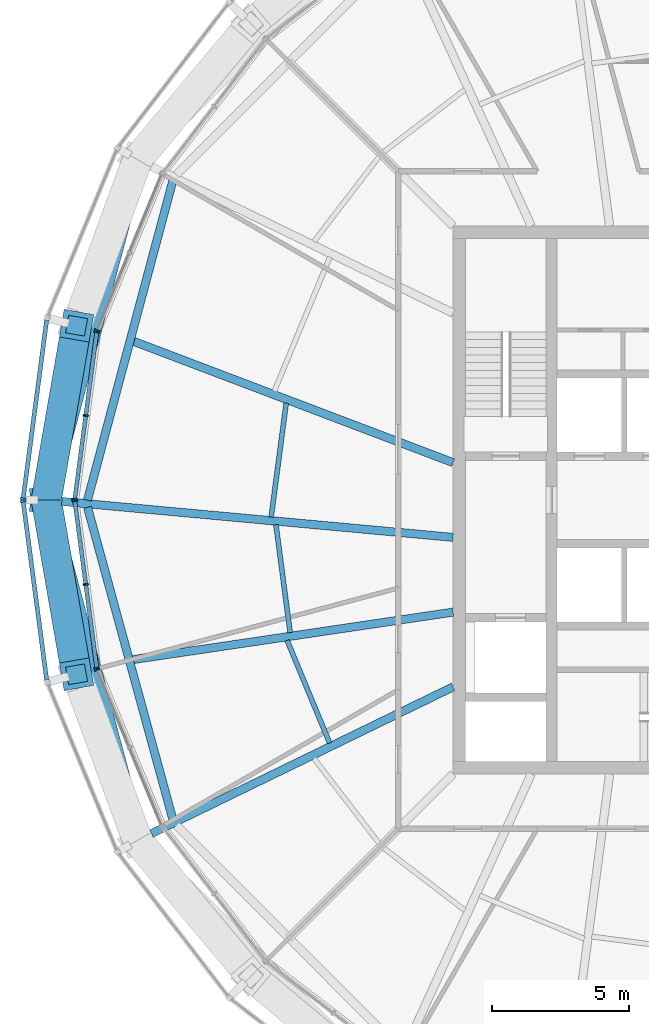
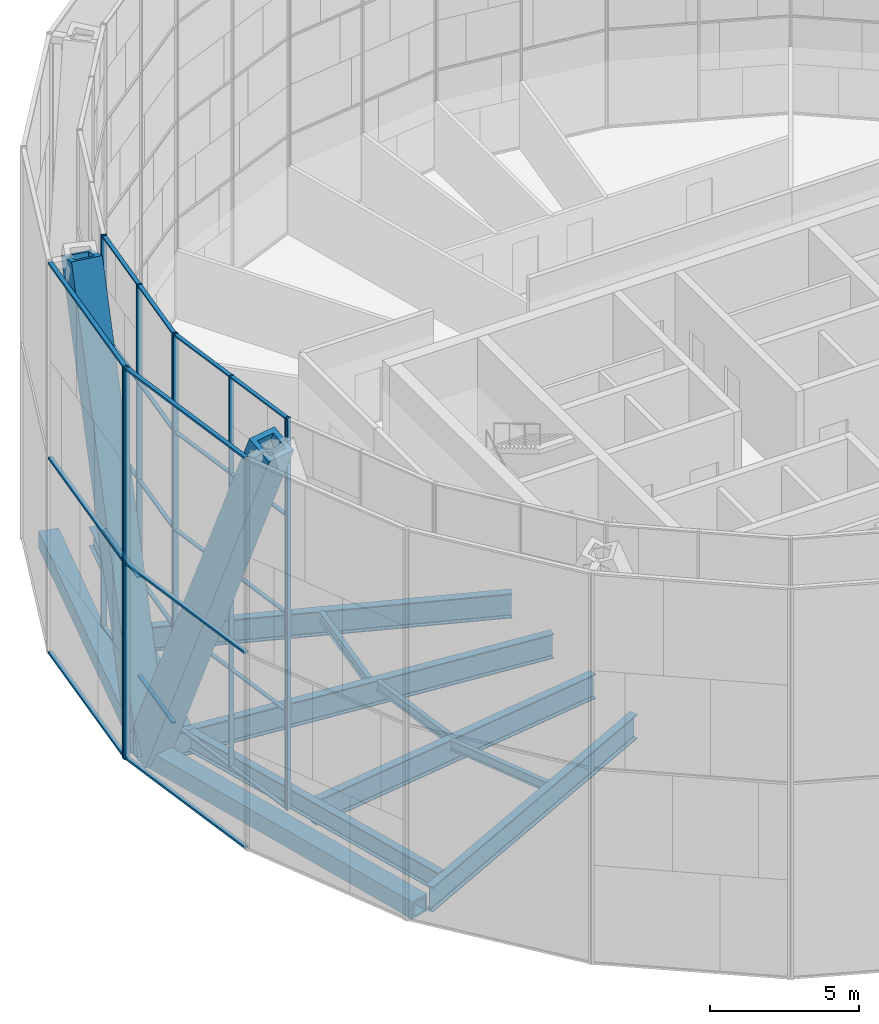
# One storey, part 4 of 28: 38 members, 11 beams, 6 elements without a shape of their own.
"""IFC4 building model written with IfcOpenShell, lengths in metres."""

from ifc_helpers import new_model, si_unit, direction, frame, origin, origin_2d, place, context, subcontext, project, spatial, rectangle, hollow_rectangle, i_section, extrude, material, material_profile, profile_set, type_object, element, aggregate, save


model = new_model("IFC4")

# Units and contexts
model_context = context("Model", 3, precision=1e-05, world=origin(), true_north=direction((0.0, 1.0)))
body_context = subcontext(model_context, "Body", "Model", "MODEL_VIEW")
ifc_project = project(units=[si_unit("LENGTHUNIT", "METRE"), si_unit("AREAUNIT", "SQUARE_METRE"), si_unit("VOLUMEUNIT", "CUBIC_METRE"), si_unit("PLANEANGLEUNIT", "RADIAN"), si_unit("MASSUNIT", "GRAM", prefix="KILO")], contexts=[model_context])

# Site, building, storey
site_placement = place(None, origin())
site = spatial("IfcSite", under=ifc_project, at=site_placement, CompositionType="ELEMENT")
building_placement = place(site_placement, origin())
building = spatial("IfcBuilding", under=site, at=building_placement, Name="Golbaran Civic Tower", CompositionType="ELEMENT")
storey_placement = place(building_placement, frame((0.0, 0.0, 183.0)))
storey = spatial("IfcBuildingStorey", under=building, at=storey_placement, Name="L44", CompositionType="ELEMENT", Elevation=183.0)

# Members
ifc_material_1 = material(Name="Steel S355", Category="steel")
ifc_material_profile_1 = material_profile(ifc_material_1, hollow_rectangle(XDim=1.10009765625, YDim=1.10009765625, WallThickness=0.199951171875, at=origin_2d()), Name="BOX 1100x1100x200")
ifc_profile_set_1 = profile_set([ifc_material_profile_1], Name="Steel S355")
member_type_1 = type_object("IfcMemberType", Name="DIAGRID DIAGONAL BOX 1100x1100x200", PredefinedType="BRACE", material=ifc_profile_set_1)
for number, where, z_axis, x_axis, name in (
    (1, (-24.846923828125, 0.0, -0.7099609375), (0.064127942686, -0.368693220348, 0.927336463338), (0.985208424474, 0.171360323139, 0.0), "Diagonal D10-06R L44-L48"),
    (2, (-24.846923828125, 0.0, -0.7099609375), (0.064127942686, 0.368693220348, 0.927336463338), (-0.985208424474, 0.171360323139, 0.0), "Diagonal D10-06L L44-L48"),
):
    element("IfcMember", number, at=place(storey_placement, frame(where, z_axis=z_axis, x_axis=x_axis)), inside=storey, type_object=member_type_1, Name=name, PredefinedType="BRACE", context=body_context, shape_type="SweptSolid", body=[
        extrude(hollow_rectangle(XDim=1.10009765625, YDim=1.10009765625, WallThickness=0.199951171875, at=origin_2d()), origin(), (0.0, 0.0, 1.0), 17.253662109375),
    ])

# Beams
ifc_material_profile_2 = material_profile(ifc_material_1, hollow_rectangle(XDim=0.699951171875, YDim=0.699951171875, WallThickness=0.080078125, at=origin_2d()), Name="BOX 700x700x80")
ifc_profile_set_2 = profile_set([ifc_material_profile_2], Name="Steel S355")
beam_type_1 = type_object("IfcBeamType", Name="DIAGRID RING TIE BOX 700x700x80", PredefinedType="BEAM", material=ifc_profile_set_2)
for number, where, z_axis, x_axis, name in (
    (3, (-21.51806640625, 12.423583984375, -0.7099609375), (-0.258816732935, -0.965926445829, 0.0), (0.965926445829, -0.258816732935, 0.0), "Ring tie 150.00 L44"),
    (4, (-24.846923828125, 0.0, -0.7099609375), (0.258816732935, -0.965926445829, 0.0), (0.965926445829, 0.258816732935, 0.0), "Ring tie 180.00 L44"),
):
    element("IfcBeam", number, at=place(storey_placement, frame(where, z_axis=z_axis, x_axis=x_axis)), inside=storey, type_object=beam_type_1, Name=name, PredefinedType="BEAM", context=body_context, shape_type="SweptSolid", body=[
        extrude(hollow_rectangle(XDim=0.699951171875, YDim=0.699951171875, WallThickness=0.080078125, at=origin_2d()), origin(), (0.0, 0.0, 1.0), 12.86181640625),
    ])
ifc_material_profile_3 = material_profile(ifc_material_1, i_section(OverallWidth=0.300048828125, OverallDepth=0.800048828125, WebThickness=0.017578125, FlangeThickness=0.032958984375, FilletRadius=0.030029296875, at=origin_2d()), Name="HEB 800")
ifc_profile_set_3 = profile_set([ifc_material_profile_3], Name="Steel S355")
beam_type_2 = type_object("IfcBeamType", Name="EDGE BEAM HEB 800", PredefinedType="BEAM", material=ifc_profile_set_3)
beam_1_placement = place(storey_placement, frame((-20.22802734375, 11.6513671875, -0.60009765625), z_axis=(-0.258178863728, -0.966097135036, 0.0), x_axis=(0.966097135036, -0.258178863728, 0.0)))
element("IfcBeam", 5, at=beam_1_placement, inside=storey, type_object=beam_type_2, Name="Edge beam 150.00 L44", PredefinedType="BEAM", context=body_context, shape_type="SweptSolid", body=[
    extrude(i_section(OverallWidth=0.300048828125, OverallDepth=0.800048828125, WebThickness=0.017578125, FlangeThickness=0.032958984375, FilletRadius=0.030029296875, at=origin_2d()), origin(), (0.0, 0.0, 1.0), 12.068115234375),
])
beam_2_placement = place(storey_placement, frame((-23.34130859375, -0.268798828125, -0.60009765625), z_axis=(0.263754546618, -0.964589829481, 0.0), x_axis=(0.964589829481, 0.263754546618, 0.0)))
element("IfcBeam", 6, at=beam_2_placement, inside=storey, type_object=beam_type_2, Name="Edge beam 180.00 L44", PredefinedType="BEAM", context=body_context, shape_type="SweptSolid", body=[
    extrude(i_section(OverallWidth=0.300048828125, OverallDepth=0.800048828125, WebThickness=0.017578125, FlangeThickness=0.032958984375, FilletRadius=0.030029296875, at=origin_2d()), origin(), (0.0, 0.0, 1.0), 11.801025390625),
])
ifc_material_profile_4 = material_profile(ifc_material_1, i_section(OverallWidth=0.179931640625, OverallDepth=0.39990234375, WebThickness=0.008544921875, FlangeThickness=0.013427734375, FilletRadius=0.02099609375, at=origin_2d()), Name="IPE 400")
ifc_profile_set_4 = profile_set([ifc_material_profile_4], Name="Steel S355")
beam_type_3 = type_object("IfcBeamType", Name="FLOOR INFILL BEAM IPE 400", PredefinedType="BEAM", material=ifc_profile_set_4)
beam_3_placement = place(storey_placement, frame((-16.090576171875, 3.537109375, -0.39990234375), z_axis=(-0.130540286617, -0.991443005709, 0.0), x_axis=(0.991443005709, -0.130540286617, 0.0)))
element("IfcBeam", 7, at=beam_3_placement, inside=storey, type_object=beam_type_3, Name="Infill beam 172.50 L44", PredefinedType="BEAM", context=body_context, shape_type="SweptSolid", body=[
    extrude(i_section(OverallWidth=0.179931640625, OverallDepth=0.39990234375, WebThickness=0.008544921875, FlangeThickness=0.013427734375, FilletRadius=0.02099609375, at=origin_2d()), origin(), (0.0, 0.0, 1.0), 4.19677734375),
])
beam_4_placement = place(storey_placement, frame((-16.464599609375, -0.90087890625, -0.39990234375), z_axis=(0.130530746869, -0.991444261732, 0.0), x_axis=(0.991444261732, 0.130530746869, 0.0)))
element("IfcBeam", 8, at=beam_4_placement, inside=storey, type_object=beam_type_3, Name="Infill beam 187.50 L44", PredefinedType="BEAM", context=body_context, shape_type="SweptSolid", body=[
    extrude(i_section(OverallWidth=0.179931640625, OverallDepth=0.39990234375, WebThickness=0.008544921875, FlangeThickness=0.013427734375, FilletRadius=0.02099609375, at=origin_2d()), origin(), (0.0, 0.0, 1.0), 3.976318359375),
])
beam_5_placement = place(storey_placement, frame((-16.056640625, -5.122802734375, -0.39990234375), z_axis=(0.382711690348, -0.923867827165, 0.0), x_axis=(0.923867827165, 0.382711690348, 0.0)))
element("IfcBeam", 9, at=beam_5_placement, inside=storey, type_object=beam_type_3, Name="Infill beam 202.50 L44", PredefinedType="BEAM", context=body_context, shape_type="SweptSolid", body=[
    extrude(i_section(OverallWidth=0.179931640625, OverallDepth=0.39990234375, WebThickness=0.008544921875, FlangeThickness=0.013427734375, FilletRadius=0.02099609375, at=origin_2d()), origin(), (0.0, 0.0, 1.0), 4.053955078125),
])

# Curtain wall, member
ifc_material_2 = material(Name="Aluminium and glass", Category="aluminium")
curtain_wall_type_1 = type_object("IfcCurtainWallType", Name="INNER SKIN CURTAIN WALL EXECUTIVE", PredefinedType="NOTDEFINED", material=ifc_material_2)
curtain_wall_1_placement = place(storey_placement, origin())
curtain_wall_1 = element("IfcCurtainWall", 10, at=curtain_wall_1_placement, inside=storey, type_object=curtain_wall_type_1, Name="Inner skin L44 facet 11 CW2", ObjectType="INNER SKIN", PredefinedType="USERDEFINED")
ifc_material_3 = material(Name="Aluminium", Category="aluminium")
ifc_material_profile_5 = material_profile(ifc_material_3, rectangle(XDim=0.199951171875, YDim=0.06005859375, at=origin_2d()), Name="INNER SKIN CURTAIN WALL EXECUTIVE MULLION")
ifc_profile_set_5 = profile_set([ifc_material_profile_5], Name="Aluminium")
member_type_2 = type_object("IfcMemberType", Name="INNER SKIN CURTAIN WALL EXECUTIVE MULLION", PredefinedType="MULLION", material=ifc_profile_set_5)
member_1_placement = place(storey_placement, frame((-22.9892578125, 6.190673828125, 0.0), z_axis=(0.0, 0.0, 1.0), x_axis=(0.923879532491, -0.382683432413, 0.0)))
member_1 = element("IfcMember", 11, at=member_1_placement, type_object=member_type_2, Name="CW2 mullion 3", PredefinedType="MULLION", context=body_context, shape_type="SweptSolid", body=[
    extrude(rectangle(XDim=0.199951171875, YDim=0.06005859375, at=origin_2d()), origin(), (0.0, 0.0, 1.0), 16.0),
])
aggregate(curtain_wall_1, [member_1])

# Curtain wall, members
curtain_wall_2_placement = place(storey_placement, origin())
curtain_wall_2 = element("IfcCurtainWall", 12, at=curtain_wall_2_placement, inside=storey, type_object=curtain_wall_type_1, Name="Inner skin L44 facet 12 CW2", ObjectType="INNER SKIN", PredefinedType="USERDEFINED")
member_2_placement = place(storey_placement, frame((-23.004638671875, 6.13330078125, 0.0), z_axis=(0.0, 0.0, 1.0), x_axis=(0.991444861383, -0.130526192151, 0.0)))
member_2 = element("IfcMember", 13, at=member_2_placement, type_object=member_type_2, Name="CW2 mullion 1", PredefinedType="MULLION", context=body_context, shape_type="SweptSolid", body=[
    extrude(rectangle(XDim=0.199951171875, YDim=0.06005859375, at=origin_2d()), origin(), (0.0, 0.0, 1.0), 16.0),
])
member_3_placement = place(storey_placement, frame((-23.40625, 3.08154296875, 0.0), z_axis=(0.0, 0.0, 1.0), x_axis=(0.991444861383, -0.130526192151, 0.0)))
member_3 = element("IfcMember", 14, at=member_3_placement, type_object=member_type_2, Name="CW2 mullion 2", PredefinedType="MULLION", context=body_context, shape_type="SweptSolid", body=[
    extrude(rectangle(XDim=0.199951171875, YDim=0.06005859375, at=origin_2d()), origin(), (0.0, 0.0, 1.0), 16.0),
])
member_4_placement = place(storey_placement, frame((-23.80810546875, 0.02978515625, 0.0), z_axis=(0.0, 0.0, 1.0), x_axis=(0.991444861383, -0.130526192151, 0.0)))
member_4 = element("IfcMember", 15, at=member_4_placement, type_object=member_type_2, Name="CW2 mullion 3", PredefinedType="MULLION", context=body_context, shape_type="SweptSolid", body=[
    extrude(rectangle(XDim=0.199951171875, YDim=0.06005859375, at=origin_2d()), origin(), (0.0, 0.0, 1.0), 16.0),
])

curtain_wall_3_placement = place(storey_placement, origin())
curtain_wall_3 = element("IfcCurtainWall", 16, at=curtain_wall_3_placement, inside=storey, type_object=curtain_wall_type_1, Name="Inner skin L44 facet 13 CW2", ObjectType="INNER SKIN", PredefinedType="USERDEFINED")
member_5_placement = place(storey_placement, frame((-23.80810546875, -0.02978515625, 0.0), z_axis=(0.0, 0.0, 1.0), x_axis=(0.991444861383, 0.130526192151, 0.0)))
member_5 = element("IfcMember", 17, at=member_5_placement, type_object=member_type_2, Name="CW2 mullion 1", PredefinedType="MULLION", context=body_context, shape_type="SweptSolid", body=[
    extrude(rectangle(XDim=0.199951171875, YDim=0.06005859375, at=origin_2d()), origin(), (0.0, 0.0, 1.0), 16.0),
])
member_6_placement = place(storey_placement, frame((-23.40625, -3.08154296875, 0.0), z_axis=(0.0, 0.0, 1.0), x_axis=(0.991444861383, 0.130526192151, 0.0)))
member_6 = element("IfcMember", 18, at=member_6_placement, type_object=member_type_2, Name="CW2 mullion 2", PredefinedType="MULLION", context=body_context, shape_type="SweptSolid", body=[
    extrude(rectangle(XDim=0.199951171875, YDim=0.06005859375, at=origin_2d()), origin(), (0.0, 0.0, 1.0), 16.0),
])
member_7_placement = place(storey_placement, frame((-23.004638671875, -6.13330078125, 0.0), z_axis=(0.0, 0.0, 1.0), x_axis=(0.991444861383, 0.130526192151, 0.0)))
member_7 = element("IfcMember", 19, at=member_7_placement, type_object=member_type_2, Name="CW2 mullion 3", PredefinedType="MULLION", context=body_context, shape_type="SweptSolid", body=[
    extrude(rectangle(XDim=0.199951171875, YDim=0.06005859375, at=origin_2d()), origin(), (0.0, 0.0, 1.0), 16.0),
])

# Curtain wall, member
curtain_wall_4_placement = place(storey_placement, origin())
curtain_wall_4 = element("IfcCurtainWall", 20, at=curtain_wall_4_placement, inside=storey, type_object=curtain_wall_type_1, Name="Inner skin L44 facet 14 CW2", ObjectType="INNER SKIN", PredefinedType="USERDEFINED")
member_8_placement = place(storey_placement, frame((-22.9892578125, -6.190673828125, 0.0), z_axis=(0.0, 0.0, 1.0), x_axis=(0.923879532491, 0.382683432413, 0.0)))
member_8 = element("IfcMember", 21, at=member_8_placement, type_object=member_type_2, Name="CW2 mullion 1", PredefinedType="MULLION", context=body_context, shape_type="SweptSolid", body=[
    extrude(rectangle(XDim=0.199951171875, YDim=0.06005859375, at=origin_2d()), origin(), (0.0, 0.0, 1.0), 16.0),
])
aggregate(curtain_wall_4, [member_8])

# Member
ifc_material_profile_6 = material_profile(ifc_material_3, rectangle(XDim=0.14990234375, YDim=0.06005859375, at=origin_2d()), Name="INNER SKIN CURTAIN WALL EXECUTIVE TRANSOM")
ifc_profile_set_6 = profile_set([ifc_material_profile_6], Name="Aluminium")
member_type_3 = type_object("IfcMemberType", Name="INNER SKIN CURTAIN WALL EXECUTIVE TRANSOM", PredefinedType="USERDEFINED", material=ifc_profile_set_6)
member_9_placement = place(storey_placement, frame((-23.008544921875, 6.103515625, 0.030029296875), z_axis=(-0.130483808769, -0.991450440339, 0.0), x_axis=(0.991450440339, -0.130483808769, 0.0)))
member_9 = element("IfcMember", 22, at=member_9_placement, type_object=member_type_3, Name="CW2 transom 1.1", ObjectType="TRANSOM", PredefinedType="USERDEFINED", context=body_context, shape_type="SweptSolid", body=[
    extrude(rectangle(XDim=0.14990234375, YDim=0.06005859375, at=origin_2d()), origin(), (0.0, 0.0, 1.0), 3.01806640625),
])

member_10_placement = place(storey_placement, frame((-23.008544921875, 6.103515625, 4.0), z_axis=(-0.130483808769, -0.991450440339, 0.0), x_axis=(0.991450440339, -0.130483808769, 0.0)))
member_10 = element("IfcMember", 23, at=member_10_placement, type_object=member_type_3, Name="CW2 transom 1.2", ObjectType="TRANSOM", PredefinedType="USERDEFINED", context=body_context, shape_type="SweptSolid", body=[
    extrude(rectangle(XDim=0.14990234375, YDim=0.06005859375, at=origin_2d()), origin(), (0.0, 0.0, 1.0), 3.01806640625),
])

member_11_placement = place(storey_placement, frame((-23.008544921875, 6.103515625, 8.0), z_axis=(-0.130483808769, -0.991450440339, 0.0), x_axis=(0.991450440339, -0.130483808769, 0.0)))
member_11 = element("IfcMember", 24, at=member_11_placement, type_object=member_type_3, Name="CW2 transom 1.3", ObjectType="TRANSOM", PredefinedType="USERDEFINED", context=body_context, shape_type="SweptSolid", body=[
    extrude(rectangle(XDim=0.14990234375, YDim=0.06005859375, at=origin_2d()), origin(), (0.0, 0.0, 1.0), 3.01806640625),
])

member_12_placement = place(storey_placement, frame((-23.008544921875, 6.103515625, 12.0), z_axis=(-0.130483808769, -0.991450440339, 0.0), x_axis=(0.991450440339, -0.130483808769, 0.0)))
member_12 = element("IfcMember", 25, at=member_12_placement, type_object=member_type_3, Name="CW2 transom 1.4", ObjectType="TRANSOM", PredefinedType="USERDEFINED", context=body_context, shape_type="SweptSolid", body=[
    extrude(rectangle(XDim=0.14990234375, YDim=0.06005859375, at=origin_2d()), origin(), (0.0, 0.0, 1.0), 3.01806640625),
])

member_13_placement = place(storey_placement, frame((-23.008544921875, 6.103515625, 15.969970703125), z_axis=(-0.130483808769, -0.991450440339, 0.0), x_axis=(0.991450440339, -0.130483808769, 0.0)))
member_13 = element("IfcMember", 26, at=member_13_placement, type_object=member_type_3, Name="CW2 transom 1.5", ObjectType="TRANSOM", PredefinedType="USERDEFINED", context=body_context, shape_type="SweptSolid", body=[
    extrude(rectangle(XDim=0.14990234375, YDim=0.06005859375, at=origin_2d()), origin(), (0.0, 0.0, 1.0), 3.01806640625),
])

member_14_placement = place(storey_placement, frame((-23.41015625, 3.0517578125, 0.030029296875), z_axis=(-0.130563325295, -0.991439972004, 0.0), x_axis=(0.991439972004, -0.130563325295, 0.0)))
member_14 = element("IfcMember", 27, at=member_14_placement, type_object=member_type_3, Name="CW2 transom 2.1", ObjectType="TRANSOM", PredefinedType="USERDEFINED", context=body_context, shape_type="SweptSolid", body=[
    extrude(rectangle(XDim=0.14990234375, YDim=0.06005859375, at=origin_2d()), origin(), (0.0, 0.0, 1.0), 3.01806640625),
])

member_15_placement = place(storey_placement, frame((-23.41015625, 3.0517578125, 4.0), z_axis=(-0.130563325295, -0.991439972004, 0.0), x_axis=(0.991439972004, -0.130563325295, 0.0)))
member_15 = element("IfcMember", 28, at=member_15_placement, type_object=member_type_3, Name="CW2 transom 2.2", ObjectType="TRANSOM", PredefinedType="USERDEFINED", context=body_context, shape_type="SweptSolid", body=[
    extrude(rectangle(XDim=0.14990234375, YDim=0.06005859375, at=origin_2d()), origin(), (0.0, 0.0, 1.0), 3.01806640625),
])

member_16_placement = place(storey_placement, frame((-23.41015625, 3.0517578125, 8.0), z_axis=(-0.130563325295, -0.991439972004, 0.0), x_axis=(0.991439972004, -0.130563325295, 0.0)))
member_16 = element("IfcMember", 29, at=member_16_placement, type_object=member_type_3, Name="CW2 transom 2.3", ObjectType="TRANSOM", PredefinedType="USERDEFINED", context=body_context, shape_type="SweptSolid", body=[
    extrude(rectangle(XDim=0.14990234375, YDim=0.06005859375, at=origin_2d()), origin(), (0.0, 0.0, 1.0), 3.01806640625),
])

member_17_placement = place(storey_placement, frame((-23.41015625, 3.0517578125, 12.0), z_axis=(-0.130563325295, -0.991439972004, 0.0), x_axis=(0.991439972004, -0.130563325295, 0.0)))
member_17 = element("IfcMember", 30, at=member_17_placement, type_object=member_type_3, Name="CW2 transom 2.4", ObjectType="TRANSOM", PredefinedType="USERDEFINED", context=body_context, shape_type="SweptSolid", body=[
    extrude(rectangle(XDim=0.14990234375, YDim=0.06005859375, at=origin_2d()), origin(), (0.0, 0.0, 1.0), 3.01806640625),
])

member_18_placement = place(storey_placement, frame((-23.41015625, 3.0517578125, 15.969970703125), z_axis=(-0.130563325295, -0.991439972004, 0.0), x_axis=(0.991439972004, -0.130563325295, 0.0)))
member_18 = element("IfcMember", 31, at=member_18_placement, type_object=member_type_3, Name="CW2 transom 2.5", ObjectType="TRANSOM", PredefinedType="USERDEFINED", context=body_context, shape_type="SweptSolid", body=[
    extrude(rectangle(XDim=0.14990234375, YDim=0.06005859375, at=origin_2d()), origin(), (0.0, 0.0, 1.0), 3.01806640625),
])

aggregate(curtain_wall_2, [member_2, member_3, member_4, member_9, member_10, member_11, member_12, member_13, member_14, member_15, member_16, member_17, member_18])

member_19_placement = place(storey_placement, frame((-23.80419921875, -0.0595703125, 0.030029296875), z_axis=(0.130563325295, -0.991439972004, 0.0), x_axis=(0.991439972004, 0.130563325295, 0.0)))
member_19 = element("IfcMember", 32, at=member_19_placement, type_object=member_type_3, Name="CW2 transom 1.1", ObjectType="TRANSOM", PredefinedType="USERDEFINED", context=body_context, shape_type="SweptSolid", body=[
    extrude(rectangle(XDim=0.14990234375, YDim=0.06005859375, at=origin_2d()), origin(), (0.0, 0.0, 1.0), 3.01806640625),
])

member_20_placement = place(storey_placement, frame((-23.80419921875, -0.0595703125, 4.0), z_axis=(0.130563325295, -0.991439972004, 0.0), x_axis=(0.991439972004, 0.130563325295, 0.0)))
member_20 = element("IfcMember", 33, at=member_20_placement, type_object=member_type_3, Name="CW2 transom 1.2", ObjectType="TRANSOM", PredefinedType="USERDEFINED", context=body_context, shape_type="SweptSolid", body=[
    extrude(rectangle(XDim=0.14990234375, YDim=0.06005859375, at=origin_2d()), origin(), (0.0, 0.0, 1.0), 3.01806640625),
])

member_21_placement = place(storey_placement, frame((-23.80419921875, -0.0595703125, 8.0), z_axis=(0.130563325295, -0.991439972004, 0.0), x_axis=(0.991439972004, 0.130563325295, 0.0)))
member_21 = element("IfcMember", 34, at=member_21_placement, type_object=member_type_3, Name="CW2 transom 1.3", ObjectType="TRANSOM", PredefinedType="USERDEFINED", context=body_context, shape_type="SweptSolid", body=[
    extrude(rectangle(XDim=0.14990234375, YDim=0.06005859375, at=origin_2d()), origin(), (0.0, 0.0, 1.0), 3.01806640625),
])

member_22_placement = place(storey_placement, frame((-23.80419921875, -0.0595703125, 12.0), z_axis=(0.130563325295, -0.991439972004, 0.0), x_axis=(0.991439972004, 0.130563325295, 0.0)))
member_22 = element("IfcMember", 35, at=member_22_placement, type_object=member_type_3, Name="CW2 transom 1.4", ObjectType="TRANSOM", PredefinedType="USERDEFINED", context=body_context, shape_type="SweptSolid", body=[
    extrude(rectangle(XDim=0.14990234375, YDim=0.06005859375, at=origin_2d()), origin(), (0.0, 0.0, 1.0), 3.01806640625),
])

member_23_placement = place(storey_placement, frame((-23.80419921875, -0.0595703125, 15.969970703125), z_axis=(0.130563325295, -0.991439972004, 0.0), x_axis=(0.991439972004, 0.130563325295, 0.0)))
member_23 = element("IfcMember", 36, at=member_23_placement, type_object=member_type_3, Name="CW2 transom 1.5", ObjectType="TRANSOM", PredefinedType="USERDEFINED", context=body_context, shape_type="SweptSolid", body=[
    extrude(rectangle(XDim=0.14990234375, YDim=0.06005859375, at=origin_2d()), origin(), (0.0, 0.0, 1.0), 3.01806640625),
])

member_24_placement = place(storey_placement, frame((-23.40234375, -3.111328125, 0.030029296875), z_axis=(0.130483808769, -0.991450440339, 0.0), x_axis=(0.991450440339, 0.130483808769, 0.0)))
member_24 = element("IfcMember", 37, at=member_24_placement, type_object=member_type_3, Name="CW2 transom 2.1", ObjectType="TRANSOM", PredefinedType="USERDEFINED", context=body_context, shape_type="SweptSolid", body=[
    extrude(rectangle(XDim=0.14990234375, YDim=0.06005859375, at=origin_2d()), origin(), (0.0, 0.0, 1.0), 3.01806640625),
])

member_25_placement = place(storey_placement, frame((-23.40234375, -3.111328125, 4.0), z_axis=(0.130483808769, -0.991450440339, 0.0), x_axis=(0.991450440339, 0.130483808769, 0.0)))
member_25 = element("IfcMember", 38, at=member_25_placement, type_object=member_type_3, Name="CW2 transom 2.2", ObjectType="TRANSOM", PredefinedType="USERDEFINED", context=body_context, shape_type="SweptSolid", body=[
    extrude(rectangle(XDim=0.14990234375, YDim=0.06005859375, at=origin_2d()), origin(), (0.0, 0.0, 1.0), 3.01806640625),
])

member_26_placement = place(storey_placement, frame((-23.40234375, -3.111328125, 8.0), z_axis=(0.130483808769, -0.991450440339, 0.0), x_axis=(0.991450440339, 0.130483808769, 0.0)))
member_26 = element("IfcMember", 39, at=member_26_placement, type_object=member_type_3, Name="CW2 transom 2.3", ObjectType="TRANSOM", PredefinedType="USERDEFINED", context=body_context, shape_type="SweptSolid", body=[
    extrude(rectangle(XDim=0.14990234375, YDim=0.06005859375, at=origin_2d()), origin(), (0.0, 0.0, 1.0), 3.01806640625),
])

member_27_placement = place(storey_placement, frame((-23.40234375, -3.111328125, 12.0), z_axis=(0.130483808769, -0.991450440339, 0.0), x_axis=(0.991450440339, 0.130483808769, 0.0)))
member_27 = element("IfcMember", 40, at=member_27_placement, type_object=member_type_3, Name="CW2 transom 2.4", ObjectType="TRANSOM", PredefinedType="USERDEFINED", context=body_context, shape_type="SweptSolid", body=[
    extrude(rectangle(XDim=0.14990234375, YDim=0.06005859375, at=origin_2d()), origin(), (0.0, 0.0, 1.0), 3.01806640625),
])

member_28_placement = place(storey_placement, frame((-23.40234375, -3.111328125, 15.969970703125), z_axis=(0.130483808769, -0.991450440339, 0.0), x_axis=(0.991450440339, 0.130483808769, 0.0)))
member_28 = element("IfcMember", 41, at=member_28_placement, type_object=member_type_3, Name="CW2 transom 2.5", ObjectType="TRANSOM", PredefinedType="USERDEFINED", context=body_context, shape_type="SweptSolid", body=[
    extrude(rectangle(XDim=0.14990234375, YDim=0.06005859375, at=origin_2d()), origin(), (0.0, 0.0, 1.0), 3.01806640625),
])

aggregate(curtain_wall_3, [member_5, member_6, member_7, member_19, member_20, member_21, member_22, member_23, member_24, member_25, member_26, member_27, member_28])

# Curtain wall, member
curtain_wall_type_2 = type_object("IfcCurtainWallType", Name="OUTER SKIN TERRACOTTA SCREEN", PredefinedType="NOTDEFINED", material=ifc_material_2)
curtain_wall_5_placement = place(storey_placement, origin())
curtain_wall_5 = element("IfcCurtainWall", 42, at=curtain_wall_5_placement, inside=storey, type_object=curtain_wall_type_2, Name="Outer skin L44 facet 12 CW3", ObjectType="OUTER SKIN", PredefinedType="USERDEFINED")
ifc_material_profile_7 = material_profile(ifc_material_3, rectangle(XDim=0.219970703125, YDim=0.080078125, at=origin_2d()), Name="OUTER SKIN TERRACOTTA SCREEN MULLION")
ifc_profile_set_7 = profile_set([ifc_material_profile_7], Name="Aluminium")
member_type_4 = type_object("IfcMemberType", Name="OUTER SKIN TERRACOTTA SCREEN MULLION", PredefinedType="MULLION", material=ifc_profile_set_7)
member_29_placement = place(storey_placement, frame((-25.69189453125, 0.03955078125, -0.7099609375), z_axis=(0.0, 0.0, 1.0), x_axis=(0.991444861372, -0.130526192237, 0.0)))
member_29 = element("IfcMember", 43, at=member_29_placement, type_object=member_type_4, Name="CW3 mullion 2", PredefinedType="MULLION", context=body_context, shape_type="SweptSolid", body=[
    extrude(rectangle(XDim=0.219970703125, YDim=0.080078125, at=origin_2d()), origin(), (0.0, 0.0, 1.0), 16.0),
])

curtain_wall_6_placement = place(storey_placement, origin())
curtain_wall_6 = element("IfcCurtainWall", 44, at=curtain_wall_6_placement, inside=storey, type_object=curtain_wall_type_2, Name="Outer skin L44 facet 13 CW3", ObjectType="OUTER SKIN", PredefinedType="USERDEFINED")
member_30_placement = place(storey_placement, frame((-25.69189453125, -0.03955078125, -0.7099609375), z_axis=(0.0, 0.0, 1.0), x_axis=(0.991444861372, 0.130526192237, 0.0)))
member_30 = element("IfcMember", 45, at=member_30_placement, type_object=member_type_4, Name="CW3 mullion 1", PredefinedType="MULLION", context=body_context, shape_type="SweptSolid", body=[
    extrude(rectangle(XDim=0.219970703125, YDim=0.080078125, at=origin_2d()), origin(), (0.0, 0.0, 1.0), 16.0),
])

# Member
ifc_material_profile_8 = material_profile(ifc_material_3, rectangle(XDim=0.159912109375, YDim=0.080078125, at=origin_2d()), Name="OUTER SKIN TERRACOTTA SCREEN TRANSOM")
ifc_profile_set_8 = profile_set([ifc_material_profile_8], Name="Aluminium")
member_type_5 = type_object("IfcMemberType", Name="OUTER SKIN TERRACOTTA SCREEN TRANSOM", PredefinedType="USERDEFINED", material=ifc_profile_set_8)
member_31_placement = place(storey_placement, frame((-24.831787109375, 6.571533203125, -0.669921875), z_axis=(-0.130529739199, -0.991444394399, 0.0), x_axis=(0.991444394399, -0.130529739199, 0.0)))
member_31 = element("IfcMember", 46, at=member_31_placement, type_object=member_type_5, Name="CW3 transom 1.1", ObjectType="TRANSOM", PredefinedType="USERDEFINED", context=body_context, shape_type="SweptSolid", body=[
    extrude(rectangle(XDim=0.159912109375, YDim=0.080078125, at=origin_2d()), origin(), (0.0, 0.0, 1.0), 6.548095703125),
])

member_32_placement = place(storey_placement, frame((-24.831787109375, 6.571533203125, 7.2900390625), z_axis=(-0.130529739199, -0.991444394399, 0.0), x_axis=(0.991444394399, -0.130529739199, 0.0)))
member_32 = element("IfcMember", 47, at=member_32_placement, type_object=member_type_5, Name="CW3 transom 1.2", ObjectType="TRANSOM", PredefinedType="USERDEFINED", context=body_context, shape_type="SweptSolid", body=[
    extrude(rectangle(XDim=0.159912109375, YDim=0.080078125, at=origin_2d()), origin(), (0.0, 0.0, 1.0), 6.548095703125),
])

member_33_placement = place(storey_placement, frame((-24.831787109375, 6.571533203125, 15.25), z_axis=(-0.130529739199, -0.991444394399, 0.0), x_axis=(0.991444394399, -0.130529739199, 0.0)))
member_33 = element("IfcMember", 48, at=member_33_placement, type_object=member_type_5, Name="CW3 transom 1.3", ObjectType="TRANSOM", PredefinedType="USERDEFINED", context=body_context, shape_type="SweptSolid", body=[
    extrude(rectangle(XDim=0.159912109375, YDim=0.080078125, at=origin_2d()), origin(), (0.0, 0.0, 1.0), 6.548095703125),
])

aggregate(curtain_wall_5, [member_29, member_31, member_32, member_33])

member_34_placement = place(storey_placement, frame((-25.6865234375, -0.079345703125, -0.669921875), z_axis=(0.130529739199, -0.991444394399, 0.0), x_axis=(0.991444394399, 0.130529739199, 0.0)))
member_34 = element("IfcMember", 49, at=member_34_placement, type_object=member_type_5, Name="CW3 transom 1.1", ObjectType="TRANSOM", PredefinedType="USERDEFINED", context=body_context, shape_type="SweptSolid", body=[
    extrude(rectangle(XDim=0.159912109375, YDim=0.080078125, at=origin_2d()), origin(), (0.0, 0.0, 1.0), 6.548095703125),
])

member_35_placement = place(storey_placement, frame((-25.6865234375, -0.079345703125, 7.2900390625), z_axis=(0.130529739199, -0.991444394399, 0.0), x_axis=(0.991444394399, 0.130529739199, 0.0)))
member_35 = element("IfcMember", 50, at=member_35_placement, type_object=member_type_5, Name="CW3 transom 1.2", ObjectType="TRANSOM", PredefinedType="USERDEFINED", context=body_context, shape_type="SweptSolid", body=[
    extrude(rectangle(XDim=0.159912109375, YDim=0.080078125, at=origin_2d()), origin(), (0.0, 0.0, 1.0), 6.548095703125),
])

member_36_placement = place(storey_placement, frame((-25.6865234375, -0.079345703125, 15.25), z_axis=(0.130529739199, -0.991444394399, 0.0), x_axis=(0.991444394399, 0.130529739199, 0.0)))
member_36 = element("IfcMember", 51, at=member_36_placement, type_object=member_type_5, Name="CW3 transom 1.3", ObjectType="TRANSOM", PredefinedType="USERDEFINED", context=body_context, shape_type="SweptSolid", body=[
    extrude(rectangle(XDim=0.159912109375, YDim=0.080078125, at=origin_2d()), origin(), (0.0, 0.0, 1.0), 6.548095703125),
])

aggregate(curtain_wall_6, [member_30, member_34, member_35, member_36])

# Beams
ifc_material_profile_9 = material_profile(ifc_material_1, i_section(OverallWidth=0.300048828125, OverallDepth=1.0, WebThickness=0.01904296875, FlangeThickness=0.035888671875, FilletRadius=0.030029296875, at=origin_2d()), Name="HEB 1000")
ifc_profile_set_9 = profile_set([ifc_material_profile_9], Name="Steel S355")
beam_type_4 = type_object("IfcBeamType", Name="RADIAL FLOOR BEAM HEB 1000", PredefinedType="BEAM", material=ifc_profile_set_9)
beam_6_placement = place(storey_placement, frame((-10.0, -1.3642578125, -0.7099609375), z_axis=(-0.995805665948, 0.091493582643, 0.0), x_axis=(-0.091493582643, -0.995805665948, 0.0)))
element("IfcBeam", 52, at=beam_6_placement, inside=storey, type_object=beam_type_4, Name="Radial beam 180.00 L44", PredefinedType="BEAM", context=body_context, shape_type="SweptSolid", body=[
    extrude(i_section(OverallWidth=0.300048828125, OverallDepth=1.0, WebThickness=0.01904296875, FlangeThickness=0.035888671875, FilletRadius=0.030029296875, at=origin_2d()), origin(), (0.0, 0.0, 1.0), 14.33984375),
])
beam_7_placement = place(storey_placement, frame((-10.0, -6.821533203125, -0.7099609375), z_axis=(-0.899283428873, -0.437366339074, 0.0), x_axis=(0.437366339074, -0.899283428873, 0.0)))
element("IfcBeam", 53, at=beam_7_placement, inside=storey, type_object=beam_type_4, Name="Radial beam 210.00 L44", PredefinedType="BEAM", context=body_context, shape_type="SweptSolid", body=[
    extrude(i_section(OverallWidth=0.300048828125, OverallDepth=1.0, WebThickness=0.01904296875, FlangeThickness=0.035888671875, FilletRadius=0.030029296875, at=origin_2d()), origin(), (0.0, 0.0, 1.0), 12.241455078125),
])
ifc_material_profile_10 = material_profile(ifc_material_1, i_section(OverallWidth=0.300048828125, OverallDepth=1.0, WebThickness=0.01904296875, FlangeThickness=0.035888671875, FilletRadius=0.030029296875, at=origin_2d()), Name="HEB 1000")
ifc_profile_set_10 = profile_set([ifc_material_profile_10], Name="Steel S355")
beam_type_5 = type_object("IfcBeamType", Name="SECONDARY FLOOR BEAM HEB 1000", PredefinedType="BEAM", material=ifc_profile_set_10)
beam_8_placement = place(storey_placement, frame((-10.0, 1.3642578125, -0.7099609375), z_axis=(-0.934914874283, 0.354872058416, 0.0), x_axis=(-0.354872058416, -0.934914874283, 0.0)))
element("IfcBeam", 54, at=beam_8_placement, inside=storey, type_object=beam_type_5, Name="Secondary beam 165.00 L44", PredefinedType="BEAM", context=body_context, shape_type="SweptSolid", body=[
    extrude(i_section(OverallWidth=0.300048828125, OverallDepth=1.0, WebThickness=0.01904296875, FlangeThickness=0.035888671875, FilletRadius=0.030029296875, at=origin_2d()), origin(), (0.0, 0.0, 1.0), 12.602294921875),
])
beam_9_placement = place(storey_placement, frame((-10.0, -4.0927734375, -0.7099609375), z_axis=(-0.989174913409, -0.146741237155, 0.0), x_axis=(0.146741237155, -0.989174913409, 0.0)))
element("IfcBeam", 55, at=beam_9_placement, inside=storey, type_object=beam_type_5, Name="Secondary beam 195.00 L44", PredefinedType="BEAM", context=body_context, shape_type="SweptSolid", body=[
    extrude(i_section(OverallWidth=0.300048828125, OverallDepth=1.0, WebThickness=0.01904296875, FlangeThickness=0.035888671875, FilletRadius=0.030029296875, at=origin_2d()), origin(), (0.0, 0.0, 1.0), 11.94580078125),
])

save(model, "model.ifc")
